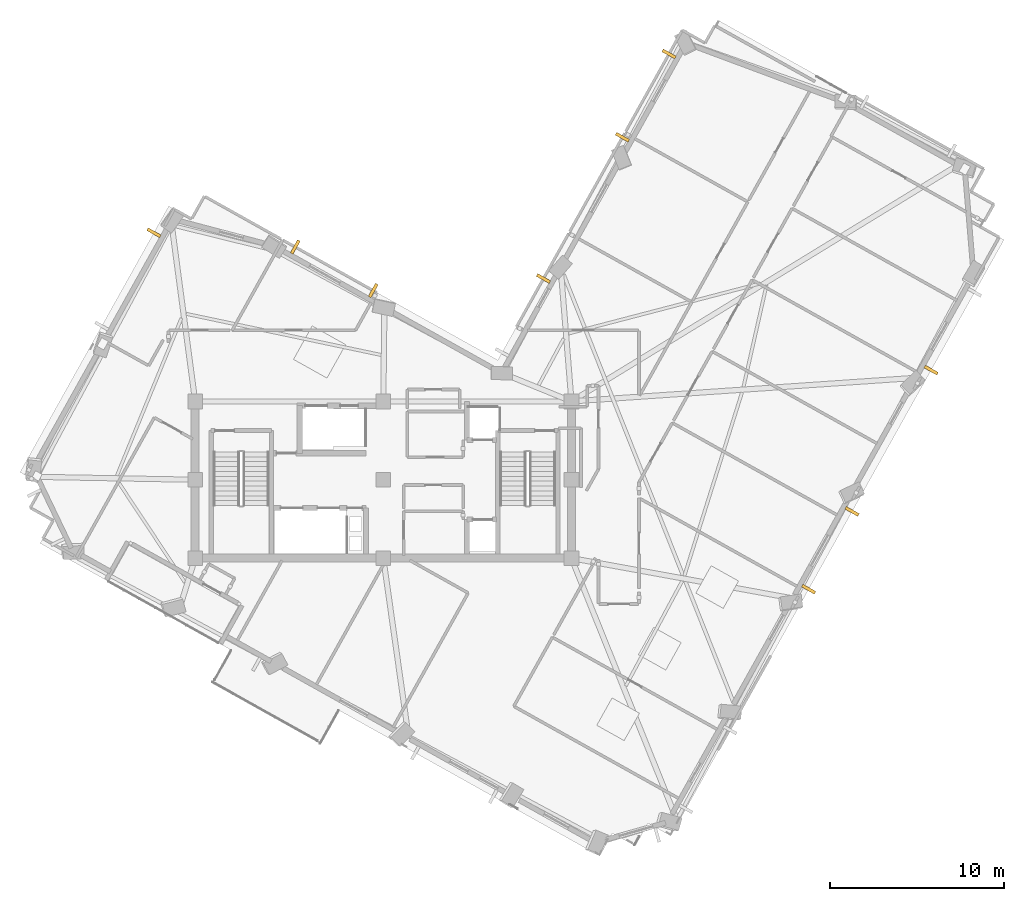
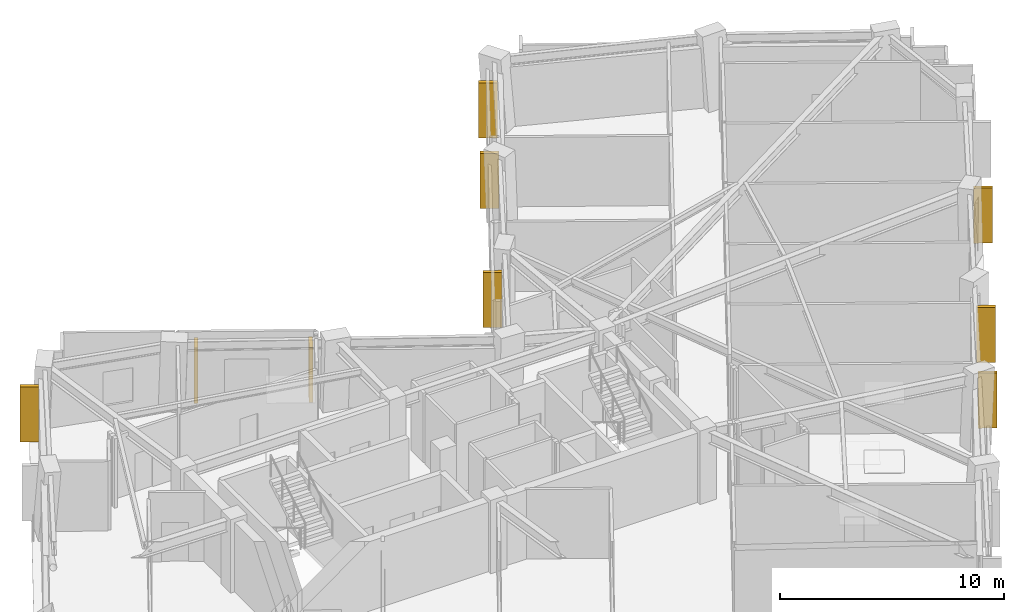
# One storey, part 10 of 11: 9 shading devices.
"""IFC4 building model written with IfcOpenShell, lengths in metres."""

from ifc_helpers import new_model, si_unit, direction, frame, origin, origin_2d, place, context, subcontext, project, spatial, rectangle, extrude, material, type_object, element, save


model = new_model("IFC4")

# Units and contexts
model_context = context("Model", 3, precision=1e-05, world=origin(), true_north=direction((0.0, 1.0)))
body_context = subcontext(model_context, "Body", "Model", "MODEL_VIEW")
ifc_project = project(units=[si_unit("LENGTHUNIT", "METRE"), si_unit("AREAUNIT", "SQUARE_METRE"), si_unit("VOLUMEUNIT", "CUBIC_METRE"), si_unit("PLANEANGLEUNIT", "RADIAN"), si_unit("MASSUNIT", "GRAM", prefix="KILO")], contexts=[model_context])

# Site, building, storey
site_placement = place(None, origin())
site = spatial("IfcSite", under=ifc_project, at=site_placement, CompositionType="ELEMENT")
building_placement = place(site_placement, origin())
building = spatial("IfcBuilding", under=site, at=building_placement, Name="Gaonmaruhae Medical Tower", CompositionType="ELEMENT")
storey_placement = place(building_placement, frame((0.0, 0.0, 284.60009765625)))
storey = spatial("IfcBuildingStorey", under=building, at=storey_placement, Name="L68", CompositionType="ELEMENT", Elevation=284.60009765625)

# Shading devices
ifc_material = material(Name="Pigmented coral precast concrete C45/55", Category="concrete")
shading_device_type = type_object("IfcShadingDeviceType", Name="SD-FIN1 Tower Vertical Coral Precast Shading Fin", PredefinedType="USERDEFINED", material=ifc_material)
for number, where, z_axis, x_axis, name in (
    (1, (51.71142578125, 10.482421875, 0.13232421875), (0.0, 0.0, 1.0), (-0.487859659139, -0.87292207727, 0.0), "L68 Vertical Coral Precast Shading Fin S03"),
    (2, (49.216796875, 6.018798828125, 0.13232421875), (0.0, 0.0, 1.0), (-0.487859659139, -0.87292207727, 0.0), "L68 Vertical Coral Precast Shading Fin S03B"),
    (3, (56.244873046875, 18.59375, 0.13232421875), (0.0, 0.0, 1.0), (-0.487859659139, -0.87292207727, 0.0), "L68 Vertical Coral Precast Shading Fin S05B"),
    (4, (38.5244140625, 31.960693359375, 0.13232421875), (0.0, 0.0, 1.0), (0.487859659139, 0.87292207727, 0.0), "L68 Vertical Coral Precast Shading Fin E03"),
    (5, (41.197509765625, 36.744384765625, 0.13232421875), (0.0, 0.0, 1.0), (0.487859659139, 0.87292207727, 0.0), "L68 Vertical Coral Precast Shading Fin E03B"),
    (6, (33.9921875, 23.851806640625, 0.13232421875), (0.0, 0.0, 1.0), (0.487859659139, 0.87292207727, 0.0), "L68 Vertical Coral Precast Shading Fin EN02B"),
    (7, (19.747314453125, 25.662841796875, 0.13232421875), (0.0, 0.0, 1.0), (0.87292207727, -0.487859659139, 0.0), "L68 Vertical Coral Precast Shading Fin NE01"),
    (8, (24.22021484375, 23.1630859375, 0.13232421875), (0.0, 0.0, 1.0), (0.87292207727, -0.487859659139, 0.0), "L68 Vertical Coral Precast Shading Fin NE01B"),
    (9, (11.632080078125, 26.478271484375, 0.13232421875), (0.0, 0.0, 1.0), (0.487859659139, 0.87292207727, 0.0), "L68 Vertical Coral Precast Shading Fin N01B"),
):
    element("IfcShadingDevice", number, at=place(storey_placement, frame(where, z_axis=z_axis, x_axis=x_axis)), inside=storey, type_object=shading_device_type, Name=name, ObjectType="FIN", PredefinedType="USERDEFINED", context=body_context, shape_type="SweptSolid", body=[
        extrude(rectangle(XDim=0.179931640625, YDim=0.85009765625, at=origin_2d()), origin(), (0.0, 0.0, 1.0), 3.0),
    ])

save(model, "model.ifc")
